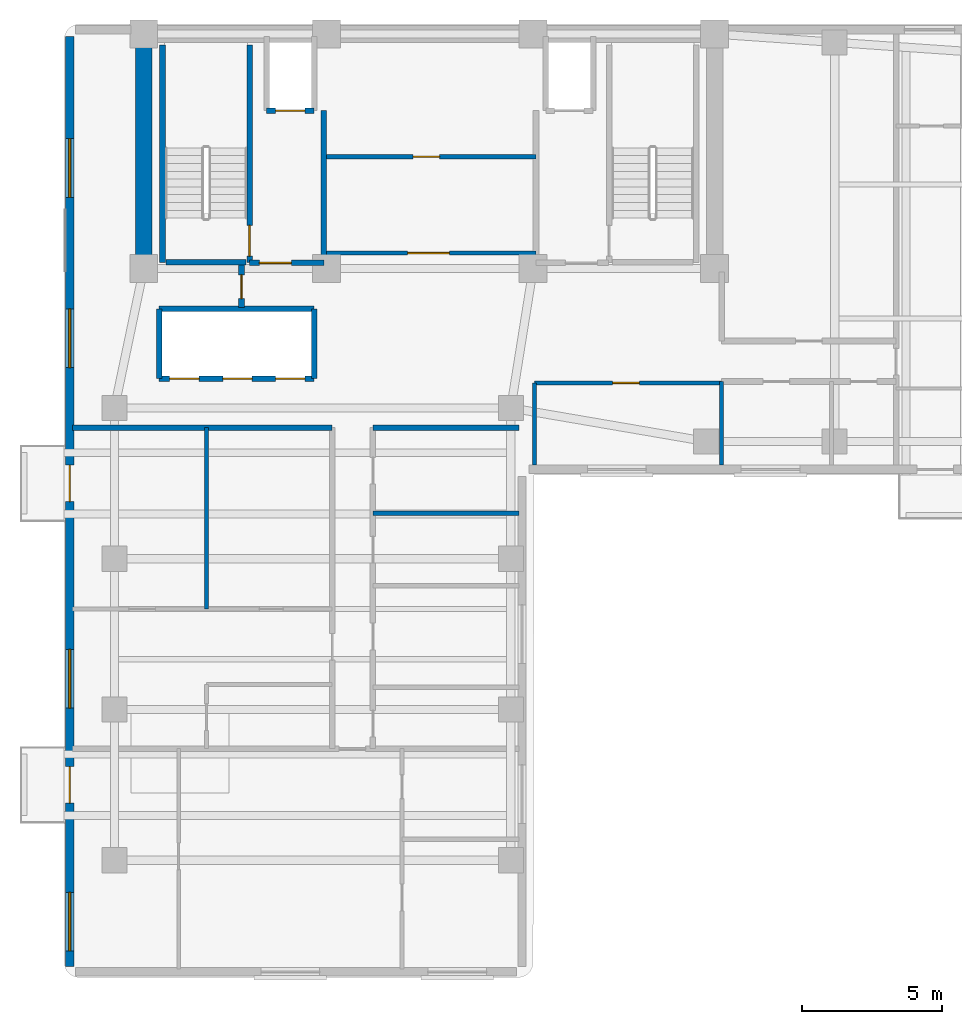
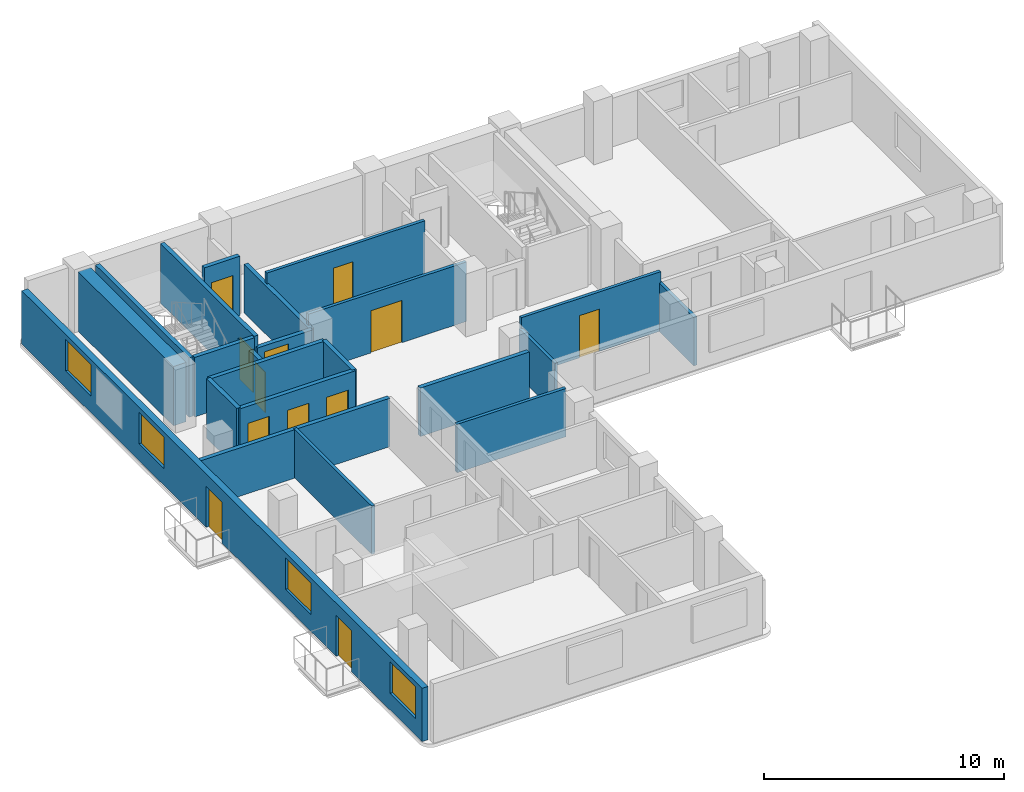
# One storey, part 3 of 7: 22 walls, 12 doors, 4 windows, 16 openings.
"""IFC4 building model written with IfcOpenShell, lengths in metres."""

from ifc_helpers import new_model, si_unit, direction, frame, frame_2d, origin, place, context, subcontext, project, spatial, rectangle, extrude, material, layer, layer_set, type_object, element, fill, save


model = new_model("IFC4")

# Units and contexts
model_context = context("Model", 3, precision=1e-05, world=origin(), true_north=direction((0.0, 1.0)))
body_context = subcontext(model_context, "Body", "Model", "MODEL_VIEW")
ifc_project = project(units=[si_unit("LENGTHUNIT", "METRE"), si_unit("AREAUNIT", "SQUARE_METRE"), si_unit("VOLUMEUNIT", "CUBIC_METRE"), si_unit("PLANEANGLEUNIT", "RADIAN"), si_unit("MASSUNIT", "GRAM", prefix="KILO")], contexts=[model_context])

# Site, building, storey
site_placement = place(None, origin())
site = spatial("IfcSite", under=ifc_project, at=site_placement, CompositionType="ELEMENT")
building_placement = place(site_placement, origin())
building = spatial("IfcBuilding", under=site, at=building_placement, Name="Kuzgunbayir Cultural Tower", CompositionType="ELEMENT")
storey_placement = place(building_placement, frame((0.0, 0.0, 176.0)))
storey = spatial("IfcBuildingStorey", under=building, at=storey_placement, Name="L51", CompositionType="ELEMENT", Elevation=176.0)

# Wall
ifc_material_1 = material(Name="Concrete C60/75", Category="concrete")
ifc_layer_1 = layer(ifc_material_1, 0.60009765625)
ifc_layer_set_1 = layer_set([ifc_layer_1], Name="Concrete C60/75")
wall_type_1 = type_object("IfcWallType", Name="WAL-CORE-600", PredefinedType="SHEAR", material=ifc_layer_set_1)
wall_1_placement = place(storey_placement, frame((6.449951171875, 33.800048828125, 0.0), z_axis=(0.0, 0.0, 1.0), x_axis=(0.0, 1.0, 0.0)))
element("IfcWall", 1, at=wall_1_placement, inside=storey, type_object=wall_type_1, Name="L51 T1 Core West Shear Wall", PredefinedType="SHEAR", context=body_context, shape_type="SweptSolid", body=[
    extrude(rectangle(XDim=7.949951171875, YDim=0.60009765625, at=frame_2d((3.97509765625, 0.0))), origin(), (0.0, 0.0, 1.0), 3.02001953125),
])

# Wall, openings, doors, windows
ifc_material_2 = material(Name="Anatolian Cream Limestone", Category="masonry")
ifc_layer_2 = layer(ifc_material_2, 0.300048828125)
ifc_layer_set_2 = layer_set([ifc_layer_2], Name="Anatolian Cream Limestone")
wall_type_2 = type_object("IfcWallType", Name="WAL-EXT-STONE-300", PredefinedType="STANDARD", material=ifc_layer_set_2)
wall_2_placement = place(storey_placement, frame((3.800048828125, 42.10009765625, 0.0), z_axis=(0.0, 0.0, 1.0), x_axis=(0.0, -1.0, 0.0)))
wall_2 = element("IfcWall", 2, at=wall_2_placement, inside=storey, type_object=wall_type_2, Name="L51 Wing A West Limestone Wall", PredefinedType="STANDARD", context=body_context, shape_type="SweptSolid", body=[
    extrude(rectangle(XDim=33.300048828125, YDim=0.300048828125, at=frame_2d((16.64990234375, 0.0))), origin(), (0.0, 0.0, 1.0), 2.7099609375),
])
opening_1_placement = place(wall_2_placement, frame((26.14990234375, 0.0, 0.0)))
opening_1 = element("IfcOpeningElement", 3, at=opening_1_placement, cuts=wall_2, Name="Opening BD-13", PredefinedType="OPENING", context=body_context, shape_type="SweptSolid", body=[
    extrude(rectangle(XDim=1.300048828125, YDim=2.080078125, at=frame_2d((0.64990234375, 1.0400390625))), frame((0.0, 0.16015625, 0.0), z_axis=(0.0, -1.0, 0.0), x_axis=(1.0, 0.0, 0.0)), (0.0, 0.0, 1.0), 0.320068359375),
])
opening_2_placement = place(wall_2_placement, frame((15.35009765625, 0.0, 0.0)))
opening_2 = element("IfcOpeningElement", 4, at=opening_2_placement, cuts=wall_2, Name="Opening BD-13", PredefinedType="OPENING", context=body_context, shape_type="SweptSolid", body=[
    extrude(rectangle(XDim=1.300048828125, YDim=2.080078125, at=frame_2d((0.64990234375, 1.0400390625))), frame((0.0, 0.16015625, 0.0), z_axis=(0.0, -1.0, 0.0), x_axis=(1.0, 0.0, 0.0)), (0.0, 0.0, 1.0), 0.320068359375),
])
opening_3_placement = place(wall_2_placement, frame((21.949951171875, 0.0, 0.85009765625)))
opening_3 = element("IfcOpeningElement", 5, at=opening_3_placement, cuts=wall_2, Name="Opening WR-21", PredefinedType="OPENING", context=body_context, shape_type="SweptSolid", body=[
    extrude(rectangle(XDim=2.10009765625, YDim=1.610107421875, at=frame_2d((1.050048828125, 0.80517578125))), frame((0.0, 0.16015625, 0.0), z_axis=(0.0, -1.0, 0.0), x_axis=(1.0, 0.0, 0.0)), (0.0, 0.0, 1.0), 0.320068359375),
])
opening_4_placement = place(wall_2_placement, frame((30.64990234375, 0.0, 0.85009765625)))
opening_4 = element("IfcOpeningElement", 6, at=opening_4_placement, cuts=wall_2, Name="Opening WR-21", PredefinedType="OPENING", context=body_context, shape_type="SweptSolid", body=[
    extrude(rectangle(XDim=2.10009765625, YDim=1.610107421875, at=frame_2d((1.050048828125, 0.80517578125))), frame((0.0, 0.16015625, 0.0), z_axis=(0.0, -1.0, 0.0), x_axis=(1.0, 0.0, 0.0)), (0.0, 0.0, 1.0), 0.320068359375),
])
opening_5_placement = place(wall_2_placement, frame((9.75, 0.0, 0.85009765625)))
opening_5 = element("IfcOpeningElement", 7, at=opening_5_placement, cuts=wall_2, Name="Opening WR-21", PredefinedType="OPENING", context=body_context, shape_type="SweptSolid", body=[
    extrude(rectangle(XDim=2.10009765625, YDim=1.610107421875, at=frame_2d((1.050048828125, 0.80517578125))), frame((0.0, 0.16015625, 0.0), z_axis=(0.0, -1.0, 0.0), x_axis=(1.0, 0.0, 0.0)), (0.0, 0.0, 1.0), 0.320068359375),
])
opening_6_placement = place(wall_2_placement, frame((3.64990234375, 0.0, 0.85009765625)))
opening_6 = element("IfcOpeningElement", 8, at=opening_6_placement, cuts=wall_2, Name="Opening WR-21", PredefinedType="OPENING", context=body_context, shape_type="SweptSolid", body=[
    extrude(rectangle(XDim=2.10009765625, YDim=1.610107421875, at=frame_2d((1.050048828125, 0.80517578125))), frame((0.0, 0.16015625, 0.0), z_axis=(0.0, -1.0, 0.0), x_axis=(1.0, 0.0, 0.0)), (0.0, 0.0, 1.0), 0.320068359375),
])
ifc_material_3 = material(Name="Thermally Broken Glazed Aluminium", Category="aluminium")
door_type_1 = type_object("IfcDoorType", Name="DR-BALCONY-135", OperationType="SLIDING_TO_LEFT", PredefinedType="DOOR", material=ifc_material_3)
door_1_placement = place(opening_1_placement, origin())
door_1 = element("IfcDoor", 9, at=door_1_placement, inside=storey, type_object=door_type_1, Name="L51 West Balcony Sliding Door BAL-L51-WA1", OperationType="SLIDING_TO_LEFT", OverallHeight=2.080078125, OverallWidth=1.300048828125, PredefinedType="DOOR", context=body_context, shape_type="SweptSolid", body=[
    extrude(rectangle(XDim=1.300048828125, YDim=2.080078125, at=frame_2d((0.64990234375, 1.0400390625))), frame((0.0, 0.02490234375, 0.0), z_axis=(0.0, -1.0, 0.0), x_axis=(1.0, 0.0, 0.0)), (0.0, 0.0, 1.0), 0.050048828125),
])
fill(opening_1, door_1)
door_2_placement = place(opening_2_placement, origin())
door_2 = element("IfcDoor", 10, at=door_2_placement, inside=storey, type_object=door_type_1, Name="L51 West Balcony Sliding Door BAL-L51-WA3", OperationType="SLIDING_TO_LEFT", OverallHeight=2.080078125, OverallWidth=1.300048828125, PredefinedType="DOOR", context=body_context, shape_type="SweptSolid", body=[
    extrude(rectangle(XDim=1.300048828125, YDim=2.080078125, at=frame_2d((0.64990234375, 1.0400390625))), frame((0.0, 0.02490234375, 0.0), z_axis=(0.0, -1.0, 0.0), x_axis=(1.0, 0.0, 0.0)), (0.0, 0.0, 1.0), 0.050048828125),
])
fill(opening_2, door_2)
ifc_material_4 = material(Name="Solar-Control Triple Glazing", Category="glass")
window_type = type_object("IfcWindowType", Name="WIN-RESID-21", PartitioningType="SINGLE_PANEL", PredefinedType="WINDOW", material=ifc_material_4)
window_1_placement = place(opening_3_placement, origin())
window_1 = element("IfcWindow", 11, at=window_1_placement, inside=storey, type_object=window_type, Name="L51 WAW Facade Window 4", OverallHeight=1.610107421875, OverallWidth=2.10009765625, PartitioningType="SINGLE_PANEL", PredefinedType="WINDOW", context=body_context, shape_type="SweptSolid", body=[
    extrude(rectangle(XDim=2.10009765625, YDim=1.610107421875, at=frame_2d((1.050048828125, 0.80517578125))), frame((0.0, 0.030029296875, 0.0), z_axis=(0.0, -1.0, 0.0), x_axis=(1.0, 0.0, 0.0)), (0.0, 0.0, 1.0), 0.06005859375),
])
fill(opening_3, window_1)
window_2_placement = place(opening_4_placement, origin())
window_2 = element("IfcWindow", 12, at=window_2_placement, inside=storey, type_object=window_type, Name="L51 WAW Facade Window 8", OverallHeight=1.610107421875, OverallWidth=2.10009765625, PartitioningType="SINGLE_PANEL", PredefinedType="WINDOW", context=body_context, shape_type="SweptSolid", body=[
    extrude(rectangle(XDim=2.10009765625, YDim=1.610107421875, at=frame_2d((1.050048828125, 0.80517578125))), frame((0.0, 0.030029296875, 0.0), z_axis=(0.0, -1.0, 0.0), x_axis=(1.0, 0.0, 0.0)), (0.0, 0.0, 1.0), 0.06005859375),
])
fill(opening_4, window_2)
window_3_placement = place(opening_5_placement, origin())
window_3 = element("IfcWindow", 13, at=window_3_placement, inside=storey, type_object=window_type, Name="L51 WAW Facade Window 9", OverallHeight=1.610107421875, OverallWidth=2.10009765625, PartitioningType="SINGLE_PANEL", PredefinedType="WINDOW", context=body_context, shape_type="SweptSolid", body=[
    extrude(rectangle(XDim=2.10009765625, YDim=1.610107421875, at=frame_2d((1.050048828125, 0.80517578125))), frame((0.0, 0.030029296875, 0.0), z_axis=(0.0, -1.0, 0.0), x_axis=(1.0, 0.0, 0.0)), (0.0, 0.0, 1.0), 0.06005859375),
])
fill(opening_5, window_3)
window_4_placement = place(opening_6_placement, origin())
window_4 = element("IfcWindow", 14, at=window_4_placement, inside=storey, type_object=window_type, Name="L51 WAW Facade Window 10", OverallHeight=1.610107421875, OverallWidth=2.10009765625, PartitioningType="SINGLE_PANEL", PredefinedType="WINDOW", context=body_context, shape_type="SweptSolid", body=[
    extrude(rectangle(XDim=2.10009765625, YDim=1.610107421875, at=frame_2d((1.050048828125, 0.80517578125))), frame((0.0, 0.030029296875, 0.0), z_axis=(0.0, -1.0, 0.0), x_axis=(1.0, 0.0, 0.0)), (0.0, 0.0, 1.0), 0.06005859375),
])
fill(opening_6, window_4)

# Wall, opening, door
ifc_material_5 = material(Name="Acoustic Double-Stud Drywall", Category="gypsum")
ifc_layer_3 = layer(ifc_material_5, 0.14990234375)
ifc_layer_set_3 = layer_set([ifc_layer_3], Name="Acoustic Double-Stud Drywall")
wall_type_3 = type_object("IfcWallType", Name="WAL-PART-ACOUSTIC-150", PredefinedType="PARTITIONING", material=ifc_layer_set_3)
wall_3_placement = place(storey_placement, frame((12.89990234375, 34.35009765625, 0.0), z_axis=(0.0, 0.0, 1.0), x_axis=(1.0, 0.0, 0.0)))
wall_3 = element("IfcWall", 15, at=wall_3_placement, inside=storey, type_object=wall_type_3, Name="L51 Sky Core South Wall", PredefinedType="PARTITIONING", context=body_context, shape_type="SweptSolid", body=[
    extrude(rectangle(XDim=7.60009765625, YDim=0.14990234375, at=frame_2d((3.800048828125, 0.0))), origin(), (0.0, 0.0, 1.0), 3.02001953125),
])
opening_7_placement = place(wall_3_placement, frame((3.0, 0.0, 0.0)))
opening_7 = element("IfcOpeningElement", 16, at=opening_7_placement, cuts=wall_3, Name="Opening DC-150", PredefinedType="OPENING", context=body_context, shape_type="SweptSolid", body=[
    extrude(rectangle(XDim=1.5, YDim=2.14990234375, at=frame_2d((0.75, 1.074951171875))), frame((0.0, 0.0849609375, 0.0), z_axis=(0.0, -1.0, 0.0), x_axis=(1.0, 0.0, 0.0)), (0.0, 0.0, 1.0), 0.169921875),
])
ifc_material_6 = material(Name="Fire-Rated Veneered Oak Double Leaf", Category="wood")
door_type_2 = type_object("IfcDoorType", Name="DR-CORE-150", OperationType="DOUBLE_DOOR_SINGLE_SWING", PredefinedType="DOOR", material=ifc_material_6)
door_3_placement = place(opening_7_placement, origin())
door_3 = element("IfcDoor", 17, at=door_3_placement, inside=storey, type_object=door_type_2, Name="L51 Sky Conservatory Double Door", OperationType="DOUBLE_DOOR_SINGLE_SWING", OverallHeight=2.14990234375, OverallWidth=1.5, PredefinedType="DOOR", context=body_context, shape_type="SweptSolid", body=[
    extrude(rectangle(XDim=1.5, YDim=2.14990234375, at=frame_2d((0.75, 1.074951171875))), frame((0.0, 0.02490234375, 0.0), z_axis=(0.0, -1.0, 0.0), x_axis=(1.0, 0.0, 0.0)), (0.0, 0.0, 1.0), 0.050048828125),
])
fill(opening_7, door_3)

wall_4_placement = place(storey_placement, frame((12.89990234375, 37.800048828125, 0.0), z_axis=(0.0, 0.0, 1.0), x_axis=(1.0, 0.0, 0.0)))
wall_4 = element("IfcWall", 18, at=wall_4_placement, inside=storey, type_object=wall_type_3, Name="L51 Sky Core Mid Wall", PredefinedType="PARTITIONING", context=body_context, shape_type="SweptSolid", body=[
    extrude(rectangle(XDim=7.60009765625, YDim=0.14990234375, at=frame_2d((3.800048828125, 0.0))), origin(), (0.0, 0.0, 1.0), 3.02001953125),
])
opening_8_placement = place(wall_4_placement, frame((3.199951171875, 0.0, 0.0)))
opening_8 = element("IfcOpeningElement", 19, at=opening_8_placement, cuts=wall_4, Name="Opening DC-95", PredefinedType="OPENING", context=body_context, shape_type="SweptSolid", body=[
    extrude(rectangle(XDim=0.949951171875, YDim=2.14990234375, at=frame_2d((0.47509765625, 1.074951171875))), frame((0.0, 0.0849609375, 0.0), z_axis=(0.0, -1.0, 0.0), x_axis=(1.0, 0.0, 0.0)), (0.0, 0.0, 1.0), 0.169921875),
])
ifc_material_7 = material(Name="Fire-Rated Veneered Oak Leaf", Category="wood")
door_type_3 = type_object("IfcDoorType", Name="DR-CORE-95", OperationType="NOTDEFINED", PredefinedType="DOOR", material=ifc_material_7)
door_4_placement = place(opening_8_placement, origin())
door_4 = element("IfcDoor", 20, at=door_4_placement, inside=storey, type_object=door_type_3, Name="L51 Core Archive Door", OperationType="SINGLE_SWING_LEFT", OverallHeight=2.14990234375, OverallWidth=0.949951171875, PredefinedType="DOOR", context=body_context, shape_type="SweptSolid", body=[
    extrude(rectangle(XDim=0.949951171875, YDim=2.14990234375, at=frame_2d((0.47509765625, 1.074951171875))), frame((0.0, 0.02490234375, 0.0), z_axis=(0.0, -1.0, 0.0), x_axis=(1.0, 0.0, 0.0)), (0.0, 0.0, 1.0), 0.050048828125),
])
fill(opening_8, door_4)

wall_5_placement = place(storey_placement, frame((20.449951171875, 29.699951171875, 0.0), z_axis=(0.0, 0.0, 1.0), x_axis=(1.0, 0.0, 0.0)))
wall_5 = element("IfcWall", 21, at=wall_5_placement, inside=storey, type_object=wall_type_3, Name="L51 Waist Alcove North Wall", PredefinedType="PARTITIONING", context=body_context, shape_type="SweptSolid", body=[
    extrude(rectangle(XDim=6.699951171875, YDim=0.14990234375, at=frame_2d((3.35009765625, 0.0))), origin(), (0.0, 0.0, 1.0), 3.02001953125),
])
opening_9_placement = place(wall_5_placement, frame((2.800048828125, 0.0, 0.0)))
opening_9 = element("IfcOpeningElement", 22, at=opening_9_placement, cuts=wall_5, Name="Opening DI-90", PredefinedType="OPENING", context=body_context, shape_type="SweptSolid", body=[
    extrude(rectangle(XDim=0.949951171875, YDim=2.14990234375, at=frame_2d((0.47509765625, 1.074951171875))), frame((0.0, 0.0849609375, 0.0), z_axis=(0.0, -1.0, 0.0), x_axis=(1.0, 0.0, 0.0)), (0.0, 0.0, 1.0), 0.169921875),
])
ifc_material_8 = material(Name="Veneered Oak Single Leaf", Category="wood")
door_type_4 = type_object("IfcDoorType", Name="DR-INT-90", OperationType="NOTDEFINED", PredefinedType="DOOR", material=ifc_material_8)
door_5_placement = place(opening_9_placement, origin())
door_5 = element("IfcDoor", 23, at=door_5_placement, inside=storey, type_object=door_type_4, Name="L51 Waist Alcove Door", OperationType="SINGLE_SWING_LEFT", OverallHeight=2.14990234375, OverallWidth=0.949951171875, PredefinedType="DOOR", context=body_context, shape_type="SweptSolid", body=[
    extrude(rectangle(XDim=0.949951171875, YDim=2.14990234375, at=frame_2d((0.47509765625, 1.074951171875))), frame((0.0, 0.02490234375, 0.0), z_axis=(0.0, -1.0, 0.0), x_axis=(1.0, 0.0, 0.0)), (0.0, 0.0, 1.0), 0.050048828125),
])
fill(opening_9, door_5)

# Walls
wall_6_placement = place(storey_placement, frame((20.449951171875, 26.75, 0.0), z_axis=(0.0, 0.0, 1.0), x_axis=(0.0, 1.0, 0.0)))
element("IfcWall", 24, at=wall_6_placement, inside=storey, type_object=wall_type_3, Name="L51 Waist Alcove West Wall", PredefinedType="PARTITIONING", context=body_context, shape_type="SweptSolid", body=[
    extrude(rectangle(XDim=2.949951171875, YDim=0.14990234375, at=frame_2d((1.47509765625, 0.0))), origin(), (0.0, 0.0, 1.0), 2.4599609375),
])
wall_7_placement = place(storey_placement, frame((27.14990234375, 26.75, 0.0), z_axis=(0.0, 0.0, 1.0), x_axis=(0.0, 1.0, 0.0)))
element("IfcWall", 25, at=wall_7_placement, inside=storey, type_object=wall_type_3, Name="L51 Waist Alcove East Wall", PredefinedType="PARTITIONING", context=body_context, shape_type="SweptSolid", body=[
    extrude(rectangle(XDim=3.0, YDim=0.14990234375, at=frame_2d((1.5, 0.0))), origin(), (0.0, 0.0, 1.0), 2.4599609375),
])
wall_8_placement = place(storey_placement, frame((14.659912109375, 25.030029296875, 0.0), z_axis=(0.0, 0.0, 1.0), x_axis=(1.0, 0.0, 0.0)))
element("IfcWall", 26, at=wall_8_placement, inside=storey, type_object=wall_type_3, Name="L51 East Divider 2", PredefinedType="PARTITIONING", context=body_context, shape_type="SweptSolid", body=[
    extrude(rectangle(XDim=5.239990234375, YDim=0.14990234375, at=frame_2d((2.6201171875, 0.0))), origin(), (0.0, 0.0, 1.0), 2.4599609375),
])
ifc_material_9 = material(Name="Aerated Concrete Blockwork", Category="masonry")
ifc_layer_4 = layer(ifc_material_9, 0.199951171875)
ifc_layer_set_4 = layer_set([ifc_layer_4], Name="Aerated Concrete Blockwork")
wall_type_4 = type_object("IfcWallType", Name="WAL-PART-FIRE-200", PredefinedType="PARTITIONING", material=ifc_layer_set_4)
wall_9_placement = place(storey_placement, frame((12.89990234375, 34.0, 0.0), z_axis=(0.0, 0.0, 1.0), x_axis=(0.0, 1.0, 0.0)))
element("IfcWall", 27, at=wall_9_placement, inside=storey, type_object=wall_type_4, Name="L51 FFL-1 Lobby East Fire Wall", PredefinedType="PARTITIONING", context=body_context, shape_type="SweptSolid", body=[
    extrude(rectangle(XDim=5.449951171875, YDim=0.199951171875, at=frame_2d((2.72509765625, 0.0))), origin(), (0.0, 0.0, 1.0), 2.4599609375),
])

# Wall, opening, door
wall_10_placement = place(storey_placement, frame((10.239990234375, 34.0, 0.0), z_axis=(0.0, 0.0, 1.0), x_axis=(1.0, 0.0, 0.0)))
wall_10 = element("IfcWall", 28, at=wall_10_placement, inside=storey, type_object=wall_type_4, Name="L51 FFL-1 Lobby South Fire Wall", PredefinedType="PARTITIONING", context=body_context, shape_type="SweptSolid", body=[
    extrude(rectangle(XDim=2.659912109375, YDim=0.199951171875, at=frame_2d((1.330078125, 0.0))), origin(), (0.0, 0.0, 1.0), 2.4599609375),
])
opening_10_placement = place(wall_10_placement, frame((0.35009765625, 0.0, 0.0)))
opening_10 = element("IfcOpeningElement", 29, at=opening_10_placement, cuts=wall_10, Name="Opening DR-FFL-90", PredefinedType="OPENING", context=body_context, shape_type="SweptSolid", body=[
    extrude(rectangle(XDim=1.14990234375, YDim=2.14990234375, at=frame_2d((0.574951171875, 1.074951171875))), frame((0.0, 0.10986328125, 0.0), z_axis=(0.0, -1.0, 0.0), x_axis=(1.0, 0.0, 0.0)), (0.0, 0.0, 1.0), 0.219970703125),
])
ifc_material_10 = material(Name="Steel S355J2", Category="steel")
door_type_5 = type_object("IfcDoorType", Name="DR-FFL-90", OperationType="NOTDEFINED", PredefinedType="DOOR", material=ifc_material_10)
door_6_placement = place(opening_10_placement, origin())
door_6 = element("IfcDoor", 30, at=door_6_placement, inside=storey, type_object=door_type_5, Name="L51 Firefighting Lobby 1 Door", OperationType="SINGLE_SWING_RIGHT", OverallHeight=2.14990234375, OverallWidth=1.14990234375, PredefinedType="DOOR", context=body_context, shape_type="SweptSolid", body=[
    extrude(rectangle(XDim=1.14990234375, YDim=2.14990234375, at=frame_2d((0.574951171875, 1.074951171875))), frame((0.0, 0.02490234375, 0.0), z_axis=(0.0, -1.0, 0.0), x_axis=(1.0, 0.0, 0.0)), (0.0, 0.0, 1.0), 0.050048828125),
])
fill(opening_10, door_6)

wall_11_placement = place(storey_placement, frame((9.949951171875, 32.39990234375, 0.0), z_axis=(0.0, 0.0, 1.0), x_axis=(0.0, 1.0, 0.0)))
wall_11 = element("IfcWall", 31, at=wall_11_placement, inside=storey, type_object=wall_type_4, Name="L51 West Core Service Closet Wall", PredefinedType="PARTITIONING", context=body_context, shape_type="SweptSolid", body=[
    extrude(rectangle(XDim=1.52001953125, YDim=0.199951171875, at=frame_2d((0.760009765625, 0.0))), origin(), (0.0, 0.0, 1.0), 2.4599609375),
])
opening_11_placement = place(wall_11_placement, frame((0.320068359375, 0.0, 0.0)))
opening_11 = element("IfcOpeningElement", 32, at=opening_11_placement, cuts=wall_11, Name="Opening DR-RSR-60", PredefinedType="OPENING", context=body_context, shape_type="SweptSolid", body=[
    extrude(rectangle(XDim=0.85009765625, YDim=2.050048828125, at=frame_2d((0.425048828125, 1.02490234375))), frame((0.0, 0.10986328125, 0.0), z_axis=(0.0, -1.0, 0.0), x_axis=(1.0, 0.0, 0.0)), (0.0, 0.0, 1.0), 0.219970703125),
])
ifc_material_11 = material(Name="Steel Access Leaf", Category="steel")
door_type_6 = type_object("IfcDoorType", Name="DR-RISER-60", OperationType="NOTDEFINED", PredefinedType="DOOR", material=ifc_material_11)
door_7_placement = place(opening_11_placement, origin())
door_7 = element("IfcDoor", 33, at=door_7_placement, inside=storey, type_object=door_type_6, Name="L51 Cleaner Utility Store Door", OperationType="SINGLE_SWING_RIGHT", OverallHeight=2.050048828125, OverallWidth=0.85009765625, PredefinedType="DOOR", context=body_context, shape_type="SweptSolid", body=[
    extrude(rectangle(XDim=0.85009765625, YDim=2.050048828125, at=frame_2d((0.425048828125, 1.02490234375))), frame((0.0, 0.02490234375, 0.0), z_axis=(0.0, -1.0, 0.0), x_axis=(1.0, 0.0, 0.0)), (0.0, 0.0, 1.0), 0.050048828125),
])
fill(opening_11, door_7)

# Walls
wall_12_placement = place(storey_placement, frame((3.89990234375, 28.10009765625, 0.0), z_axis=(0.0, 0.0, 1.0), x_axis=(1.0, 0.0, 0.0)))
element("IfcWall", 34, at=wall_12_placement, inside=storey, type_object=wall_type_4, Name="L51 North West Partition", PredefinedType="PARTITIONING", context=body_context, shape_type="SweptSolid", body=[
    extrude(rectangle(XDim=9.300048828125, YDim=0.199951171875, at=frame_2d((4.64990234375, 0.0))), origin(), (0.0, 0.0, 1.0), 2.4599609375),
])
wall_13_placement = place(storey_placement, frame((14.659912109375, 28.10009765625, 0.0), z_axis=(0.0, 0.0, 1.0), x_axis=(1.0, 0.0, 0.0)))
element("IfcWall", 35, at=wall_13_placement, inside=storey, type_object=wall_type_4, Name="L51 North East Partition", PredefinedType="PARTITIONING", context=body_context, shape_type="SweptSolid", body=[
    extrude(rectangle(XDim=5.239990234375, YDim=0.199951171875, at=frame_2d((2.6201171875, 0.0))), origin(), (0.0, 0.0, 1.0), 2.4599609375),
])
ifc_material_12 = material(Name="Moisture-Resistant Tile Partition", Category="gypsum")
ifc_layer_5 = layer(ifc_material_12, 0.14990234375)
ifc_layer_set_5 = layer_set([ifc_layer_5], Name="Moisture-Resistant Tile Partition")
wall_type_5 = type_object("IfcWallType", Name="WAL-PART-WET-150", PredefinedType="PARTITIONING", material=ifc_layer_set_5)
wall_14_placement = place(storey_placement, frame((8.699951171875, 21.60009765625, 0.0), z_axis=(0.0, 0.0, 1.0), x_axis=(0.0, 1.0, 0.0)))
element("IfcWall", 36, at=wall_14_placement, inside=storey, type_object=wall_type_5, Name="L51 Flat B Bedroom Bath Wall", PredefinedType="PARTITIONING", context=body_context, shape_type="SweptSolid", body=[
    extrude(rectangle(XDim=6.5, YDim=0.14990234375, at=frame_2d((3.25, 0.0))), origin(), (0.0, 0.0, 1.0), 2.4599609375),
])

# Wall, openings, doors
ifc_material_13 = material(Name="Concrete C40/50", Category="concrete")
ifc_layer_6 = layer(ifc_material_13, 0.199951171875)
ifc_layer_set_6 = layer_set([ifc_layer_6], Name="Concrete C40/50")
wall_type_6 = type_object("IfcWallType", Name="WAL-SHAFT-200", PredefinedType="MOVABLE", material=ifc_layer_set_6)
wall_15_placement = place(storey_placement, frame((7.0, 29.85009765625, 0.0), z_axis=(0.0, 0.0, 1.0), x_axis=(1.0, 0.0, 0.0)))
wall_15 = element("IfcWall", 37, at=wall_15_placement, inside=storey, type_object=wall_type_6, Name="L51 High-Rise Lift Shaft South Wall", PredefinedType="MOVABLE", context=body_context, shape_type="SweptSolid", body=[
    extrude(rectangle(XDim=5.550048828125, YDim=0.199951171875, at=frame_2d((2.77490234375, 0.0))), origin(), (0.0, 0.0, 1.0), 3.02001953125),
])
opening_12_placement = place(wall_15_placement, frame((0.3798828125, 0.0, 0.0)))
opening_12 = element("IfcOpeningElement", 38, at=opening_12_placement, cuts=wall_15, Name="Opening LD", PredefinedType="OPENING", context=body_context, shape_type="SweptSolid", body=[
    extrude(rectangle(XDim=1.050048828125, YDim=2.14990234375, at=frame_2d((0.52490234375, 1.074951171875))), frame((0.0, 0.10986328125, 0.0), z_axis=(0.0, -1.0, 0.0), x_axis=(1.0, 0.0, 0.0)), (0.0, 0.0, 1.0), 0.219970703125),
])
opening_13_placement = place(wall_15_placement, frame((2.280029296875, 0.0, 0.0)))
opening_13 = element("IfcOpeningElement", 39, at=opening_13_placement, cuts=wall_15, Name="Opening LD", PredefinedType="OPENING", context=body_context, shape_type="SweptSolid", body=[
    extrude(rectangle(XDim=1.050048828125, YDim=2.14990234375, at=frame_2d((0.52490234375, 1.074951171875))), frame((0.0, 0.10986328125, 0.0), z_axis=(0.0, -1.0, 0.0), x_axis=(1.0, 0.0, 0.0)), (0.0, 0.0, 1.0), 0.219970703125),
])
opening_14_placement = place(wall_15_placement, frame((4.169921875, 0.0, 0.0)))
opening_14 = element("IfcOpeningElement", 40, at=opening_14_placement, cuts=wall_15, Name="Opening LD", PredefinedType="OPENING", context=body_context, shape_type="SweptSolid", body=[
    extrude(rectangle(XDim=1.050048828125, YDim=2.14990234375, at=frame_2d((0.52490234375, 1.074951171875))), frame((0.0, 0.10986328125, 0.0), z_axis=(0.0, -1.0, 0.0), x_axis=(1.0, 0.0, 0.0)), (0.0, 0.0, 1.0), 0.219970703125),
])
ifc_material_14 = material(Name="Brushed Stainless Steel", Category="steel")
door_type_7 = type_object("IfcDoorType", Name="DR-LIFT-LANDING", OperationType="SLIDING_TO_LEFT", PredefinedType="DOOR", material=ifc_material_14)
door_8_placement = place(opening_12_placement, origin())
door_8 = element("IfcDoor", 41, at=door_8_placement, inside=storey, type_object=door_type_7, Name="L51 Lift PH-1 Landing Door", OperationType="SLIDING_TO_LEFT", OverallHeight=2.14990234375, OverallWidth=1.050048828125, PredefinedType="DOOR", context=body_context, shape_type="SweptSolid", body=[
    extrude(rectangle(XDim=1.050048828125, YDim=2.14990234375, at=frame_2d((0.52490234375, 1.074951171875))), frame((0.0, 0.02490234375, 0.0), z_axis=(0.0, -1.0, 0.0), x_axis=(1.0, 0.0, 0.0)), (0.0, 0.0, 1.0), 0.050048828125),
])
fill(opening_12, door_8)
door_9_placement = place(opening_13_placement, origin())
door_9 = element("IfcDoor", 42, at=door_9_placement, inside=storey, type_object=door_type_7, Name="L51 Lift PH-2 Landing Door", OperationType="SLIDING_TO_LEFT", OverallHeight=2.14990234375, OverallWidth=1.050048828125, PredefinedType="DOOR", context=body_context, shape_type="SweptSolid", body=[
    extrude(rectangle(XDim=1.050048828125, YDim=2.14990234375, at=frame_2d((0.52490234375, 1.074951171875))), frame((0.0, 0.02490234375, 0.0), z_axis=(0.0, -1.0, 0.0), x_axis=(1.0, 0.0, 0.0)), (0.0, 0.0, 1.0), 0.050048828125),
])
fill(opening_13, door_9)
door_10_placement = place(opening_14_placement, origin())
door_10 = element("IfcDoor", 43, at=door_10_placement, inside=storey, type_object=door_type_7, Name="L51 Lift PH-3 Landing Door", OperationType="SLIDING_TO_LEFT", OverallHeight=2.14990234375, OverallWidth=1.050048828125, PredefinedType="DOOR", context=body_context, shape_type="SweptSolid", body=[
    extrude(rectangle(XDim=1.050048828125, YDim=2.14990234375, at=frame_2d((0.52490234375, 1.074951171875))), frame((0.0, 0.02490234375, 0.0), z_axis=(0.0, -1.0, 0.0), x_axis=(1.0, 0.0, 0.0)), (0.0, 0.0, 1.0), 0.050048828125),
])
fill(opening_14, door_10)

# Walls
wall_16_placement = place(storey_placement, frame((7.0, 32.35009765625, 0.0), z_axis=(0.0, 0.0, 1.0), x_axis=(1.0, 0.0, 0.0)))
element("IfcWall", 44, at=wall_16_placement, inside=storey, type_object=wall_type_6, Name="L51 High-Rise Lift Shaft North Wall", PredefinedType="MOVABLE", context=body_context, shape_type="SweptSolid", body=[
    extrude(rectangle(XDim=5.550048828125, YDim=0.199951171875, at=frame_2d((2.77490234375, 0.0))), origin(), (0.0, 0.0, 1.0), 3.02001953125),
])
for number, where, z_axis, x_axis, name in (
    (45, (7.0, 29.85009765625, 0.0), (0.0, 0.0, 1.0), (0.0, 1.0, 0.0), "L51 High-Rise Lift Shaft West Wall"),
    (46, (12.550048828125, 29.85009765625, 0.0), (0.0, 0.0, 1.0), (0.0, 1.0, 0.0), "L51 High-Rise Lift Shaft East Wall"),
):
    element("IfcWall", number, at=place(storey_placement, frame(where, z_axis=z_axis, x_axis=x_axis)), inside=storey, type_object=wall_type_6, Name=name, PredefinedType="MOVABLE", context=body_context, shape_type="SweptSolid", body=[
        extrude(rectangle(XDim=2.5, YDim=0.199951171875, at=frame_2d((1.25, 0.0))), origin(), (0.0, 0.0, 1.0), 3.02001953125),
    ])

# Wall, opening, door
wall_17_placement = place(storey_placement, frame((10.85009765625, 39.449951171875, 0.0), z_axis=(0.0, 0.0, 1.0), x_axis=(1.0, 0.0, 0.0)))
wall_17 = element("IfcWall", 47, at=wall_17_placement, inside=storey, type_object=wall_type_6, Name="L51 FFL-1 Lift Front Wall", PredefinedType="MOVABLE", context=body_context, shape_type="SweptSolid", body=[
    extrude(rectangle(XDim=1.699951171875, YDim=0.199951171875, at=frame_2d((0.85009765625, 0.0))), origin(), (0.0, 0.0, 1.0), 3.02001953125),
])
opening_15_placement = place(wall_17_placement, frame((0.320068359375, 0.0, 0.0)))
opening_15 = element("IfcOpeningElement", 48, at=opening_15_placement, cuts=wall_17, Name="Opening LD", PredefinedType="OPENING", context=body_context, shape_type="SweptSolid", body=[
    extrude(rectangle(XDim=1.050048828125, YDim=2.14990234375, at=frame_2d((0.52490234375, 1.074951171875))), frame((0.0, 0.10986328125, 0.0), z_axis=(0.0, -1.0, 0.0), x_axis=(1.0, 0.0, 0.0)), (0.0, 0.0, 1.0), 0.219970703125),
])
door_11_placement = place(opening_15_placement, origin())
door_11 = element("IfcDoor", 49, at=door_11_placement, inside=storey, type_object=door_type_7, Name="L51 Lift FFL-1 Landing Door", OperationType="SLIDING_TO_LEFT", OverallHeight=2.14990234375, OverallWidth=1.050048828125, PredefinedType="DOOR", context=body_context, shape_type="SweptSolid", body=[
    extrude(rectangle(XDim=1.050048828125, YDim=2.14990234375, at=frame_2d((0.52490234375, 1.074951171875))), frame((0.0, 0.02490234375, 0.0), z_axis=(0.0, -1.0, 0.0), x_axis=(1.0, 0.0, 0.0)), (0.0, 0.0, 1.0), 0.050048828125),
])
fill(opening_15, door_11)

# Wall
ifc_layer_7 = layer(ifc_material_13, 0.199951171875)
ifc_layer_set_7 = layer_set([ifc_layer_7], Name="Concrete C40/50")
wall_type_7 = type_object("IfcWallType", Name="WAL-STAIR-RC-200", PredefinedType="SHEAR", material=ifc_layer_set_7)
wall_18_placement = place(storey_placement, frame((7.1201171875, 34.02001953125, 0.0), z_axis=(0.0, 0.0, 1.0), x_axis=(0.0, 1.0, 0.0)))
element("IfcWall", 50, at=wall_18_placement, inside=storey, type_object=wall_type_7, Name="L51 Stair ST-1 West Structural Wall", PredefinedType="SHEAR", context=body_context, shape_type="SweptSolid", body=[
    extrude(rectangle(XDim=7.780029296875, YDim=0.199951171875, at=frame_2d((3.89013671875, 0.0))), origin(), (0.0, 0.0, 1.0), 3.02001953125),
])

# Wall, opening, door
wall_19_placement = place(storey_placement, frame((10.239990234375, 34.02001953125, 0.0), z_axis=(0.0, 0.0, 1.0), x_axis=(0.0, 1.0, 0.0)))
wall_19 = element("IfcWall", 51, at=wall_19_placement, inside=storey, type_object=wall_type_7, Name="L51 Stair ST-1 East Structural Wall", PredefinedType="SHEAR", context=body_context, shape_type="SweptSolid", body=[
    extrude(rectangle(XDim=7.780029296875, YDim=0.199951171875, at=frame_2d((3.89013671875, 0.0))), origin(), (0.0, 0.0, 1.0), 3.02001953125),
])
opening_16_placement = place(wall_19_placement, frame((0.219970703125, 0.0, 0.0)))
opening_16 = element("IfcOpeningElement", 52, at=opening_16_placement, cuts=wall_19, Name="Opening DR-STAIR-90", PredefinedType="OPENING", context=body_context, shape_type="SweptSolid", body=[
    extrude(rectangle(XDim=1.10009765625, YDim=2.14990234375, at=frame_2d((0.550048828125, 1.074951171875))), frame((0.0, 0.10986328125, 0.0), z_axis=(0.0, -1.0, 0.0), x_axis=(1.0, 0.0, 0.0)), (0.0, 0.0, 1.0), 0.219970703125),
])
door_type_8 = type_object("IfcDoorType", Name="DR-STAIR-90", OperationType="NOTDEFINED", PredefinedType="DOOR", material=ifc_material_10)
door_12_placement = place(opening_16_placement, origin())
door_12 = element("IfcDoor", 53, at=door_12_placement, inside=storey, type_object=door_type_8, Name="L51 Stair ST-1 Fire Door", OperationType="SINGLE_SWING_LEFT", OverallHeight=2.14990234375, OverallWidth=1.10009765625, PredefinedType="DOOR", context=body_context, shape_type="SweptSolid", body=[
    extrude(rectangle(XDim=1.10009765625, YDim=2.14990234375, at=frame_2d((0.550048828125, 1.074951171875))), frame((0.0, 0.02490234375, 0.0), z_axis=(0.0, -1.0, 0.0), x_axis=(1.0, 0.0, 0.0)), (0.0, 0.0, 1.0), 0.050048828125),
])
fill(opening_16, door_12)

# Wall
wall_20_placement = place(storey_placement, frame((7.239990234375, 34.02001953125, 0.0), z_axis=(0.0, 0.0, 1.0), x_axis=(1.0, 0.0, 0.0)))
element("IfcWall", 54, at=wall_20_placement, inside=storey, type_object=wall_type_7, Name="L51 Stair ST-1 South Structural Wall", PredefinedType="SHEAR", context=body_context, shape_type="SweptSolid", body=[
    extrude(rectangle(XDim=2.880126953125, YDim=0.199951171875, at=frame_2d((1.43994140625, 0.0))), origin(), (0.0, 0.0, 1.0), 3.02001953125),
])

save(model, "model.ifc")
